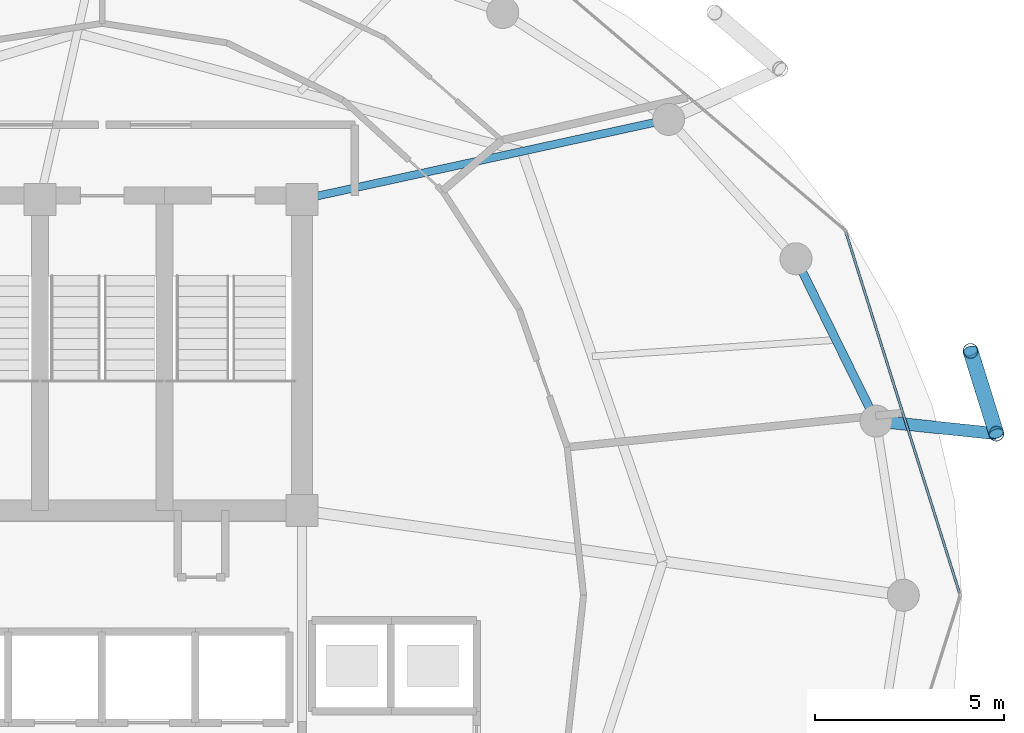
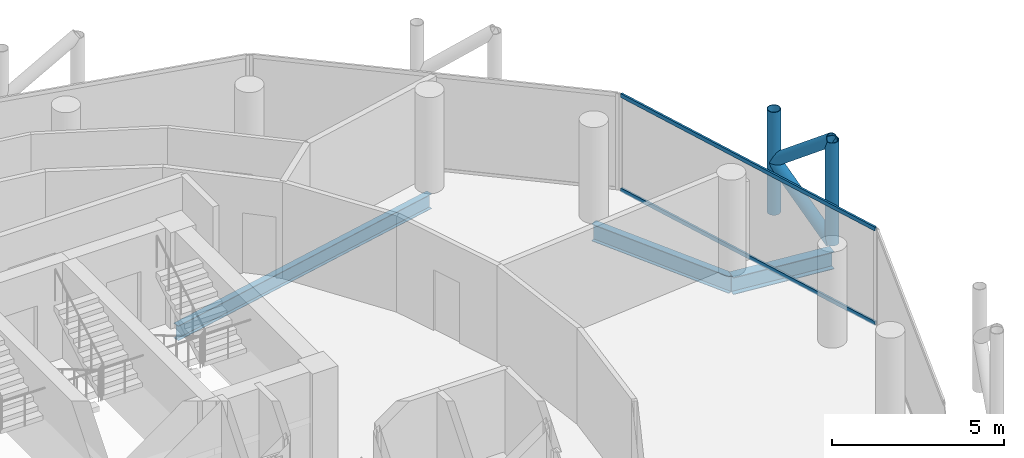
# One storey, part 16 of 27: 6 members, 3 beams, 1 element without a shape of its own.
"""IFC4 building model written with IfcOpenShell, lengths in metres."""

import ifcopenshell
import ifcopenshell.guid

model = None  # the IFC model being written
_history = None  # IfcOwnerHistory: only IFC2X3 demands one
_inside = {}  # id of a spatial element -> (the spatial element, [elements in it])
_under = {}  # id of a project, library or spatial element -> (it, [spatial elements below it])
_declared = {}  # id of a project -> (the project, [libraries it declares])
_typed = {}  # id of a type object -> (the type object, [elements of that type])
_made_of = {}  # id of a material, layer set ... -> (it, [elements and type objects made of it])


def new_model(schema):
    """Start an empty IFC model of exactly this schema.

    Asked for "IFC4X3", IfcOpenShell would pick the latest addendum, in which some entities
    have other attributes; the version numbers below select the first issue.
    IFC2X3 requires an IfcOwnerHistory on every rooted entity: one is made here for all.
    """
    global model, _history
    if schema == "IFC4X3":
        model = ifcopenshell.file(schema_version=(4, 3, 0, 0))
    else:
        model = ifcopenshell.file(schema=schema)
    _inside.clear()
    _under.clear()
    _declared.clear()
    _typed.clear()
    _made_of.clear()
    _history = None
    if model.schema == "IFC2X3":
        org = make("IfcOrganization", Name="unknown")
        user = make(
            "IfcPersonAndOrganization",
            ThePerson=make("IfcPerson", FamilyName="unknown"),
            TheOrganization=org,
        )
        app = make(
            "IfcApplication",
            ApplicationDeveloper=org,
            Version="unknown",
            ApplicationFullName="unknown",
            ApplicationIdentifier="unknown",
        )
        _history = make(
            "IfcOwnerHistory",
            OwningUser=user,
            OwningApplication=app,
            ChangeAction="ADDED",
            CreationDate=0,
        )
    return model


def make(cls, **values):
    """One entity of the class cls with the attributes given. An attribute that is None is left unset."""
    return model.create_entity(
        cls, **{name: value for name, value in values.items() if value is not None}
    )


def rooted(cls, **values):
    """An entity with a GlobalId (a new one), such as an element, a storey or a relation."""
    return make(cls, GlobalId=ifcopenshell.guid.new(), OwnerHistory=_history, **values)


def si_unit(unit_type, name, prefix=None):
    """IfcSIUnit, for example si_unit("LENGTHUNIT", "METRE", prefix="MILLI")."""
    return make("IfcSIUnit", UnitType=unit_type, Prefix=prefix, Name=name)


def assignment(units):
    """IfcUnitAssignment: the units of a project."""
    return None if units is None else make("IfcUnitAssignment", Units=units)


def point(xyz):
    """IfcCartesianPoint."""
    return None if xyz is None else make("IfcCartesianPoint", Coordinates=xyz)


def direction(xyz):
    """IfcDirection."""
    return None if xyz is None else make("IfcDirection", DirectionRatios=xyz)


def frame(location, z_axis=None, x_axis=None):
    """IfcAxis2Placement3D, a coordinate frame: its origin and axes. An axis left out is left unset."""
    return make(
        "IfcAxis2Placement3D",
        Location=point(location),
        Axis=direction(z_axis),
        RefDirection=direction(x_axis),
    )


def frame_2d(location, x_axis=None):
    """IfcAxis2Placement2D, a coordinate frame in the plane: its origin and x axis."""
    return make(
        "IfcAxis2Placement2D", Location=point(location), RefDirection=direction(x_axis)
    )


def origin():
    """The frame at (0, 0, 0) with its axes left unset."""
    return frame((0.0, 0.0, 0.0))


def origin_2d():
    """The frame at (0, 0) in the plane with its x axis left unset."""
    return frame_2d((0.0, 0.0))


def place(relative_to, where):
    """IfcLocalPlacement: puts the frame where relative to a parent placement (None: the world)."""
    return make(
        "IfcLocalPlacement", PlacementRelTo=relative_to, RelativePlacement=where
    )


def context(
    kind, dimensions, precision=None, world=None, true_north=None, identifier=None
):
    """IfcGeometricRepresentationContext, for example the 3D "Model" context."""
    return make(
        "IfcGeometricRepresentationContext",
        ContextIdentifier=identifier,
        ContextType=kind,
        CoordinateSpaceDimension=dimensions,
        Precision=precision,
        WorldCoordinateSystem=world,
        TrueNorth=true_north,
    )


def subcontext(parent, identifier, kind, view, scale=None):
    """IfcGeometricRepresentationSubContext, for example "Body" below "Model"."""
    return make(
        "IfcGeometricRepresentationSubContext",
        ContextIdentifier=identifier,
        ContextType=kind,
        ParentContext=parent,
        TargetScale=scale,
        TargetView=view,
    )


def project(units=None, contexts=None):
    """IfcProject with its units and contexts."""
    return rooted(
        "IfcProject",
        Name="project",
        RepresentationContexts=contexts,
        UnitsInContext=assignment(units),
    )


def spatial(cls, under=None, at=None, **own):
    """A site, building, storey or space (cls), placed at a placement, below another one or the project."""
    s = rooted(cls, ObjectPlacement=at, **own)
    if under is not None:
        _under.setdefault(under.id(), (under, []))[1].append(s)
    return s


def profile(cls, at=None, kind="AREA", **sizes):
    """A parametric profile (cls). Its sizes go by their IFC names, for example OverallWidth=200.0."""
    return make(cls, ProfileType=kind, Position=at, **sizes)


def hollow_rectangle(**sizes):
    """IfcRectangleHollowProfileDef."""
    return profile("IfcRectangleHollowProfileDef", **sizes)


def hollow_circle(**sizes):
    """IfcCircleHollowProfileDef."""
    return profile("IfcCircleHollowProfileDef", **sizes)


def i_section(**sizes):
    """IfcIShapeProfileDef."""
    return profile("IfcIShapeProfileDef", **sizes)


def extrude(swept, where, along, depth):
    """IfcExtrudedAreaSolid: the profile swept, set in the frame where, extruded along a direction by depth."""
    return make(
        "IfcExtrudedAreaSolid",
        SweptArea=swept,
        Position=where,
        ExtrudedDirection=direction(along),
        Depth=depth,
    )


def shape(context_of_items, identifier, shape_type, items):
    """IfcShapeRepresentation: the items that make up one representation, for example the "Body"."""
    return make(
        "IfcShapeRepresentation",
        ContextOfItems=context_of_items,
        RepresentationIdentifier=identifier,
        RepresentationType=shape_type,
        Items=items,
    )


def material(Name=None, Category=None):
    """IfcMaterial."""
    return make("IfcMaterial", Name=Name, Category=Category)


def layer(
    of_material, thickness, ventilated=None, Name=None, Category=None, Priority=None
):
    """IfcMaterialLayer: one layer of a wall or slab, of a material (None: an air gap)."""
    return make(
        "IfcMaterialLayer",
        Material=of_material,
        LayerThickness=thickness,
        IsVentilated=ventilated,
        Name=Name,
        Category=Category,
        Priority=Priority,
    )


def layer_set(layers, Name=None):
    """IfcMaterialLayerSet."""
    return make("IfcMaterialLayerSet", MaterialLayers=layers, LayerSetName=Name)


def material_profile(
    of_material, cross_section, Name=None, Category=None, Priority=None
):
    """IfcMaterialProfile: a cross section and its material."""
    return make(
        "IfcMaterialProfile",
        Name=Name,
        Material=of_material,
        Profile=cross_section,
        Priority=Priority,
        Category=Category,
    )


def profile_set(profiles, Name=None, composite=None):
    """IfcMaterialProfileSet."""
    return make(
        "IfcMaterialProfileSet",
        Name=Name,
        MaterialProfiles=profiles,
        CompositeProfile=composite,
    )


def made_of(thing, what):
    """Note that an element or type object is made of a material, layer set ...; save() writes the relation."""
    if what is not None:
        _made_of.setdefault(what.id(), (what, []))[1].append(thing)
    return thing


def type_object(cls, material=None, **own):
    """A type object (cls), such as IfcWallType, which elements share."""
    return made_of(rooted(cls, **own), material)


def element(
    cls,
    number,
    at=None,
    inside=None,
    cuts=None,
    type_object=None,
    material=None,
    context=None,
    identifier="Body",
    shape_type=None,
    held_by="IfcProductDefinitionShape",
    body=None,
    shapes=None,
    **own,
):
    """One element of the class cls, such as IfcWall. Its Tag is "e" and its number.

    at: its placement. inside: the storey or other place that contains it. cuts: it is an
    opening in that element (IfcRelVoidsElement). A single representation is given by context,
    identifier, shape_type and body (its items); several are given by shapes. held_by: the class
    of the entity that holds the representations. save() writes the other relations.
    """
    e = rooted(cls, Tag="e%d" % number, ObjectPlacement=at, **own)
    if body is not None:
        shapes = [shape(context, identifier, shape_type, body)]
    if shapes is not None:
        e.Representation = make(held_by, Representations=shapes)
    if inside is not None:
        _inside.setdefault(inside.id(), (inside, []))[1].append(e)
    if cuts is not None:
        rooted(
            "IfcRelVoidsElement", RelatingBuildingElement=cuts, RelatedOpeningElement=e
        )
    if type_object is not None:
        _typed.setdefault(type_object.id(), (type_object, []))[1].append(e)
    return made_of(e, material)


def aggregate(whole, parts):
    """IfcRelAggregates: a whole, such as a stair, and the parts it consists of."""
    return rooted("IfcRelAggregates", RelatingObject=whole, RelatedObjects=parts)


def save(model, path):
    """Write the relations noted so far, then the file.

    IfcRelAggregates (storeys below a building ...), IfcRelContainedInSpatialStructure (elements
    in a storey), IfcRelDefinesByType, IfcRelAssociatesMaterial and IfcRelDeclares: one each for
    every whole, place, type object, material and project.
    """
    for whole, parts in _under.values():
        aggregate(whole, parts)
    for where, things in _inside.values():
        rooted(
            "IfcRelContainedInSpatialStructure",
            RelatedElements=things,
            RelatingStructure=where,
        )
    for kind, things in _typed.values():
        rooted("IfcRelDefinesByType", RelatedObjects=things, RelatingType=kind)
    for what, things in _made_of.values():
        rooted("IfcRelAssociatesMaterial", RelatedObjects=things, RelatingMaterial=what)
    for by, libraries in _declared.values():
        rooted("IfcRelDeclares", RelatingContext=by, RelatedDefinitions=libraries)
    model.write(path)


model = new_model("IFC4")

# Units and contexts
model_context = context("Model", 3, precision=1e-05, world=origin(), true_north=direction((0.0, 1.0)))
body_context = subcontext(model_context, "Body", "Model", "MODEL_VIEW")
ifc_project = project(units=[si_unit("LENGTHUNIT", "METRE"), si_unit("AREAUNIT", "SQUARE_METRE"), si_unit("VOLUMEUNIT", "CUBIC_METRE"), si_unit("PLANEANGLEUNIT", "RADIAN"), si_unit("MASSUNIT", "GRAM", prefix="KILO")], contexts=[model_context])

# Site, building, storey
site_placement = place(None, origin())
site = spatial("IfcSite", under=ifc_project, at=site_placement, CompositionType="ELEMENT")
building_placement = place(site_placement, origin())
building = spatial("IfcBuilding", under=site, at=building_placement, Name="Nuhasar Tower", CompositionType="ELEMENT")
storey_placement = place(building_placement, frame((0.0, 0.0, 208.14990234375)))
storey = spatial("IfcBuildingStorey", under=building, at=storey_placement, Name="L50", CompositionType="ELEMENT", Elevation=208.14990234375)

# Beams
ifc_material_1 = material(Name="Steel S355", Category="steel")
ifc_material_profile_1 = material_profile(ifc_material_1, i_section(OverallWidth=0.208984375, OverallDepth=0.528076171875, WebThickness=0.009521484375, FlangeThickness=0.01318359375, at=origin_2d()), Name="W21X55")
ifc_profile_set_1 = profile_set([ifc_material_profile_1], Name="Steel S355")
beam_type_1 = type_object("IfcBeamType", Name="BM-RAD-W21X55", PredefinedType="BEAM", material=ifc_profile_set_1)
beam_1_placement = place(storey_placement, frame((44.300048828125, 37.300048828125, -0.50390625), z_axis=(0.977014275474, 0.213173885644, 0.0), x_axis=(-0.213173885644, 0.977014275474, 0.0)))
element("IfcBeam", 1, at=beam_1_placement, inside=storey, type_object=beam_type_1, Name="L50 Radial Floor Girder 05", PredefinedType="BEAM", context=body_context, shape_type="SweptSolid", body=[
    extrude(i_section(OverallWidth=0.208984375, OverallDepth=0.528076171875, WebThickness=0.009521484375, FlangeThickness=0.01318359375, at=origin_2d()), origin(), (0.0, 0.0, 1.0), 9.95458984375),
])
ifc_material_profile_2 = material_profile(ifc_material_1, i_section(OverallWidth=0.22802734375, OverallDepth=0.60791015625, WebThickness=0.01123046875, FlangeThickness=0.017333984375, at=origin_2d()), Name="W24X76")
ifc_profile_set_2 = profile_set([ifc_material_profile_2], Name="Steel S355")
beam_type_2 = type_object("IfcBeamType", Name="BM-RING-W24X76", PredefinedType="SPANDREL", material=ifc_profile_set_2)
beam_2_placement = place(storey_placement, frame((59.52587890625, 31.419921875, -0.5439453125), z_axis=(-0.442242604409, 0.896895467067, 0.0), x_axis=(-0.896895467067, -0.442242604409, 0.0)))
element("IfcBeam", 2, at=beam_2_placement, inside=storey, type_object=beam_type_2, Name="L50 Perimeter Ring Spandrel 02", PredefinedType="SPANDREL", context=body_context, shape_type="SweptSolid", body=[
    extrude(i_section(OverallWidth=0.22802734375, OverallDepth=0.60791015625, WebThickness=0.01123046875, FlangeThickness=0.017333984375, at=origin_2d()), origin(), (0.0, 0.0, 1.0), 4.800048828125),
])
ifc_material_profile_3 = material_profile(ifc_material_1, i_section(OverallWidth=0.323974609375, OverallDepth=0.611083984375, WebThickness=0.0126953125, FlangeThickness=0.01904296875, at=origin_2d()), Name="W24X104")
ifc_profile_set_3 = profile_set([ifc_material_profile_3], Name="Steel S355")
beam_type_3 = type_object("IfcBeamType", Name="BM-TIE-W24X104", PredefinedType="BEAM", material=ifc_profile_set_3)
beam_3_placement = place(storey_placement, frame((59.52587890625, 31.419921875, -0.544921875), z_axis=(0.994571111079, -0.10405914187, 0.0), x_axis=(0.10405914187, 0.994571111079, 0.0)))
element("IfcBeam", 3, at=beam_3_placement, inside=storey, type_object=beam_type_3, Name="L50 Exoskeleton Node Tie Beam 01", PredefinedType="BEAM", context=body_context, shape_type="SweptSolid", body=[
    extrude(i_section(OverallWidth=0.323974609375, OverallDepth=0.611083984375, WebThickness=0.0126953125, FlangeThickness=0.01904296875, at=origin_2d()), origin(), (0.0, 0.0, 1.0), 3.20947265625),
])

# Curtain wall, members
ifc_material_2 = material(Name="Aluminium 6063-T6", Category="aluminium")
ifc_layer = layer(ifc_material_2, 0.18994140625)
ifc_layer_set = layer_set([ifc_layer], Name="Aluminium 6063-T6")
curtain_wall_type = type_object("IfcCurtainWallType", Name="CW-Z3-RES", PredefinedType="NOTDEFINED", material=ifc_layer_set)
curtain_wall_placement = place(storey_placement, origin())
curtain_wall = element("IfcCurtainWall", 4, at=curtain_wall_placement, inside=storey, type_object=curtain_wall_type, Name="L50 Unitised Curtain Wall 01", PredefinedType="NOTDEFINED")
ifc_material_profile_4 = material_profile(ifc_material_2, hollow_rectangle(XDim=0.06494140625, YDim=0.139892578125, WallThickness=0.00439453125, at=origin_2d()), Name="CWT-4")
ifc_profile_set_4 = profile_set([ifc_material_profile_4], Name="Aluminium 6063-T6")
member_type_1 = type_object("IfcMemberType", Name="CW-TRN-S4", PredefinedType="USERDEFINED", material=ifc_profile_set_4)
member_1_placement = place(storey_placement, frame((61.740478515625, 26.862060546875, 0.03271484375), z_axis=(-0.300437373386, 0.953801543652, 0.0), x_axis=(-0.953801543652, -0.300437373386, 0.0)))
member_1 = element("IfcMember", 5, at=member_1_placement, type_object=member_type_1, Name="CW-Z3 transom 1.1", ObjectType="TRANSOM", PredefinedType="USERDEFINED", context=body_context, shape_type="SweptSolid", body=[
    extrude(hollow_rectangle(XDim=0.06494140625, YDim=0.139892578125, WallThickness=0.00439453125, at=origin_2d()), origin(), (0.0, 0.0, 1.0), 10.018798828125),
])
member_2_placement = place(storey_placement, frame((61.740478515625, 26.862060546875, 3.377685546875), z_axis=(-0.300437373386, 0.953801543652, 0.0), x_axis=(-0.953801543652, -0.300437373386, 0.0)))
member_2 = element("IfcMember", 6, at=member_2_placement, type_object=member_type_1, Name="CW-Z3 transom 1.2", ObjectType="TRANSOM", PredefinedType="USERDEFINED", context=body_context, shape_type="SweptSolid", body=[
    extrude(hollow_rectangle(XDim=0.06494140625, YDim=0.139892578125, WallThickness=0.00439453125, at=origin_2d()), origin(), (0.0, 0.0, 1.0), 10.018798828125),
])
aggregate(curtain_wall, [member_1, member_2])

# Members
ifc_material_3 = material(Name="Steel S460", Category="steel")
ifc_material_profile_5 = material_profile(ifc_material_3, hollow_circle(Radius=0.203125, WallThickness=0.01904296875, at=origin_2d()), Name="HSS406.4X19.1")
ifc_profile_set_5 = profile_set([ifc_material_profile_5], Name="Steel S460")
member_type_2 = type_object("IfcMemberType", Name="EXO-BRONZE-406", PredefinedType="BRACE", material=ifc_profile_set_5)
for number, where, z_axis, x_axis, name in (
    (7, (62.718017578125, 31.0859375, 0.0), (0.0, 0.0, 1.0), (1.0, 0.0, 0.0), "L50 Exoskeleton Chord Column EC-01A"),
    (8, (62.032958984375, 33.281005859375, 0.0), (0.0, 0.0, 1.0), (1.0, 0.0, 0.0), "L50 Exoskeleton Chord Column EC-01B"),
):
    element("IfcMember", number, at=place(storey_placement, frame(where, z_axis=z_axis, x_axis=x_axis)), inside=storey, type_object=member_type_2, Name=name, PredefinedType="BRACE", context=body_context, shape_type="SweptSolid", body=[
        extrude(hollow_circle(Radius=0.203125, WallThickness=0.01904296875, at=origin_2d()), origin(), (0.0, 0.0, 1.0), 3.650146484375),
    ])
member_3_placement = place(storey_placement, frame((62.718017578125, 31.0859375, 0.0), z_axis=(-0.233345847503, 0.747687995332, 0.621701195985), x_axis=(-0.954591372974, -0.297918295247, 0.0)))
element("IfcMember", 9, at=member_3_placement, inside=storey, type_object=member_type_2, Name="L50 Bronze Diagrid Brace W1-01", PredefinedType="BRACE", context=body_context, shape_type="SweptSolid", body=[
    extrude(hollow_circle(Radius=0.203125, WallThickness=0.01904296875, at=origin_2d()), origin(), (0.0, 0.0, 1.0), 2.935791015625),
])
member_4_placement = place(storey_placement, frame((62.032958984375, 33.281005859375, 1.8251953125), z_axis=(0.233357911711, -0.747726651531, 0.621650174641), x_axis=(0.954591372974, 0.297918295247, 0.0)))
element("IfcMember", 10, at=member_4_placement, inside=storey, type_object=member_type_2, Name="L50 Bronze Diagrid Brace W2-01", PredefinedType="BRACE", context=body_context, shape_type="SweptSolid", body=[
    extrude(hollow_circle(Radius=0.203125, WallThickness=0.01904296875, at=origin_2d()), origin(), (0.0, 0.0, 1.0), 2.935546875),
])

save(model, "model.ifc")
